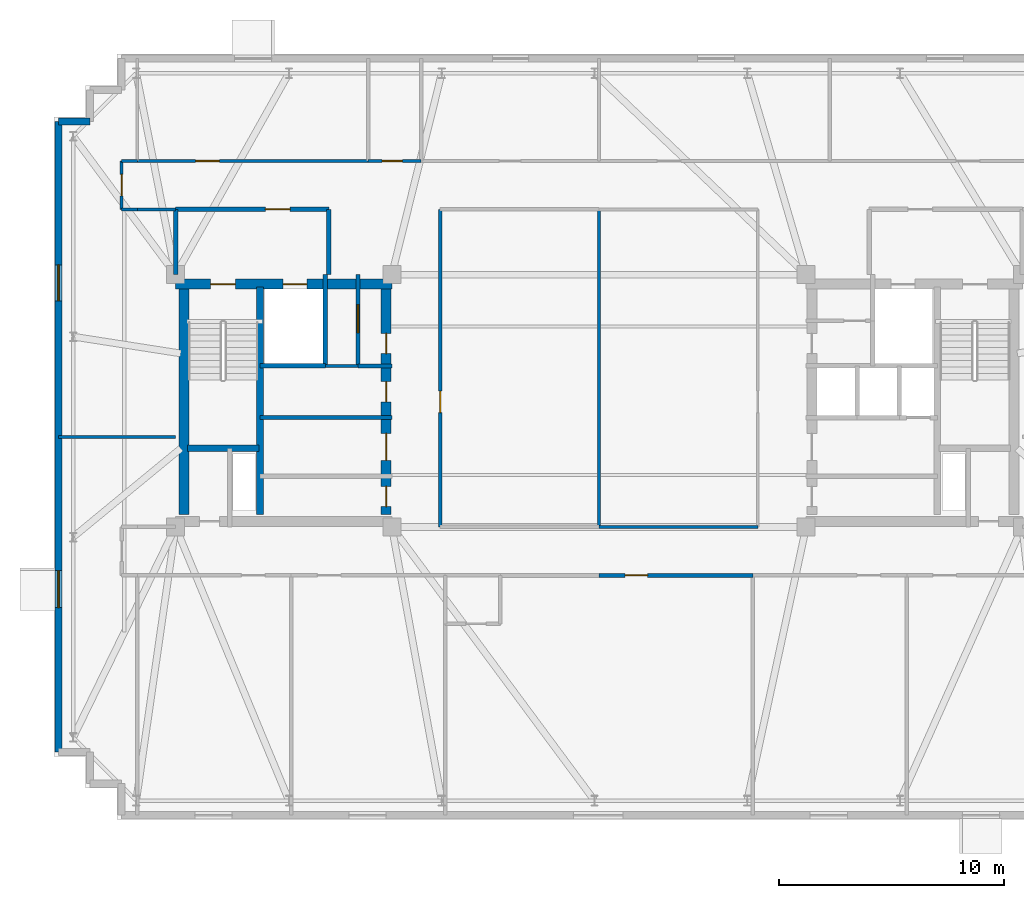
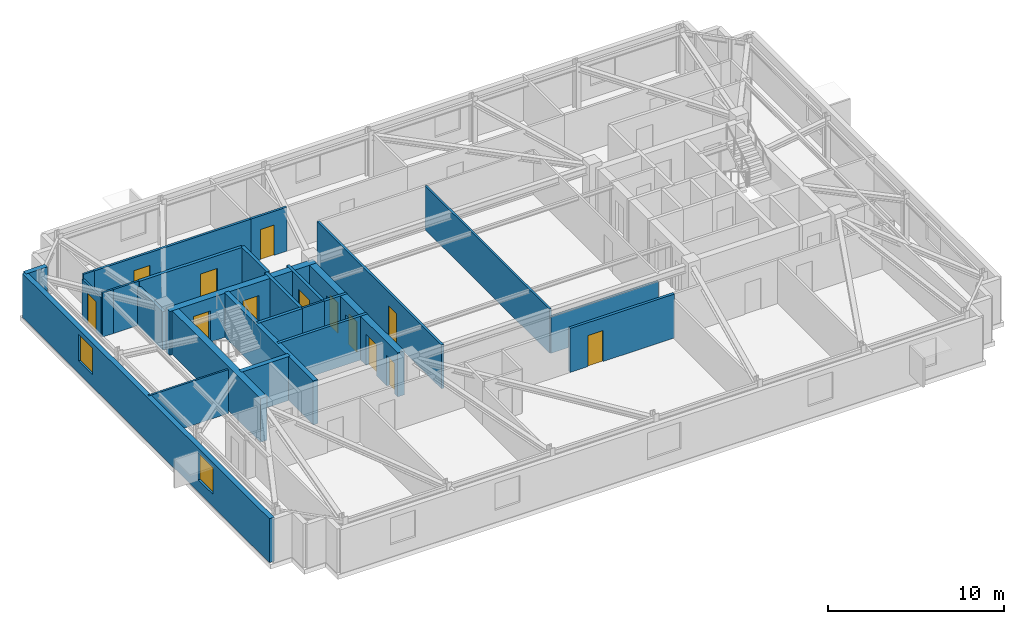
# One storey, part 6 of 10: 27 walls, 13 doors, 2 windows, 15 openings.
"""IFC4 building model written with IfcOpenShell, lengths in metres."""

from ifc_helpers import new_model, si_unit, direction, frame, frame_2d, origin, place, context, subcontext, project, spatial, rectangle, extrude, material, layer, layer_set, type_object, element, fill, save


model = new_model("IFC4")

# Units and contexts
model_context = context("Model", 3, precision=1e-05, world=origin(), true_north=direction((0.0, 1.0)))
body_context = subcontext(model_context, "Body", "Model", "MODEL_VIEW")
ifc_project = project(units=[si_unit("LENGTHUNIT", "METRE"), si_unit("AREAUNIT", "SQUARE_METRE"), si_unit("VOLUMEUNIT", "CUBIC_METRE"), si_unit("PLANEANGLEUNIT", "RADIAN"), si_unit("MASSUNIT", "GRAM", prefix="KILO")], contexts=[model_context])

# Site, building, storey
site_placement = place(None, origin())
site = spatial("IfcSite", under=ifc_project, at=site_placement, CompositionType="ELEMENT")
building_placement = place(site_placement, origin())
building = spatial("IfcBuilding", under=site, at=building_placement, Name="Qobustan Lattice House", CompositionType="ELEMENT")
storey_placement = place(building_placement, frame((0.0, 0.0, 238.35009765625)))
storey = spatial("IfcBuildingStorey", under=building, at=storey_placement, Name="L67", CompositionType="ELEMENT", Elevation=238.35009765625)

# Wall, openings, doors
ifc_material_1 = material(Name="Concrete C50/60", Category="concrete")
ifc_layer_1 = layer(ifc_material_1, 0.43994140625)
ifc_layer_set_1 = layer_set([ifc_layer_1], Name="Concrete C50/60")
wall_type_1 = type_object("IfcWallType", Name="WAL-CORE-440", PredefinedType="SHEAR", material=ifc_layer_set_1)
wall_1_placement = place(storey_placement, frame((-18.800048828125, 5.179931640625, 0.0), z_axis=(0.0, 0.0, 1.0), x_axis=(1.0, 0.0, 0.0)))
wall_1 = element("IfcWall", 1, at=wall_1_placement, inside=storey, type_object=wall_type_1, Name="L67 split-core shear wall CW-N", PredefinedType="SHEAR", context=body_context, shape_type="SweptSolid", body=[
    extrude(rectangle(XDim=9.60009765625, YDim=0.43994140625, at=frame_2d((4.800048828125, 0.0))), origin(), (0.0, 0.0, 1.0), 3.039794921875),
])
opening_1_placement = place(wall_1_placement, frame((1.550048828125, 0.0, 0.0)))
opening_1 = element("IfcOpeningElement", 2, at=opening_1_placement, cuts=wall_1, Name="Opening SD-01", PredefinedType="OPENING", context=body_context, shape_type="SweptSolid", body=[
    extrude(rectangle(XDim=1.10009765625, YDim=2.14990234375, at=frame_2d((0.550048828125, 1.074951171875))), frame((0.0, 0.22998046875, 0.0), z_axis=(0.0, -1.0, 0.0), x_axis=(1.0, 0.0, 0.0)), (0.0, 0.0, 1.0), 0.4599609375),
])
opening_2_placement = place(wall_1_placement, frame((4.77490234375, 0.0, 0.0)))
opening_2 = element("IfcOpeningElement", 3, at=opening_2_placement, cuts=wall_1, Name="Opening LD-01", PredefinedType="OPENING", context=body_context, shape_type="SweptSolid", body=[
    extrude(rectangle(XDim=1.050048828125, YDim=2.10009765625, at=frame_2d((0.52490234375, 1.050048828125))), frame((0.0, 0.22998046875, 0.0), z_axis=(0.0, -1.0, 0.0), x_axis=(1.0, 0.0, 0.0)), (0.0, 0.0, 1.0), 0.4599609375),
])
ifc_material_2 = material(Name="Persian walnut timber and steel frame door", Category="steel")
door_type_1 = type_object("IfcDoorType", Name="DOR-LIFT-LD-1050x2100", OperationType="NOTDEFINED", PredefinedType="DOOR", material=ifc_material_2)
door_1_placement = place(opening_2_placement, origin())
door_1 = element("IfcDoor", 4, at=door_1_placement, inside=storey, type_object=door_type_1, Name="L67 firefighting lift FF-W landing door", OperationType="DOUBLE_DOOR_SLIDING", OverallHeight=2.10009765625, OverallWidth=1.050048828125, PredefinedType="DOOR", context=body_context, shape_type="SweptSolid", body=[
    extrude(rectangle(XDim=1.050048828125, YDim=2.10009765625, at=frame_2d((0.52490234375, 1.050048828125))), frame((0.0, 0.02490234375, 0.0), z_axis=(0.0, -1.0, 0.0), x_axis=(1.0, 0.0, 0.0)), (0.0, 0.0, 1.0), 0.050048828125),
])
fill(opening_2, door_1)
ifc_material_3 = material(Name="Persian walnut timber and steel frame door", Category="steel")
door_type_2 = type_object("IfcDoorType", Name="DOR-STAIR-FD-1100x2150", OperationType="NOTDEFINED", PredefinedType="DOOR", material=ifc_material_3)
door_2_placement = place(opening_1_placement, origin())
door_2 = element("IfcDoor", 5, at=door_2_placement, inside=storey, type_object=door_type_2, Name="L67 exit stair ST-W1 fire door", OperationType="SINGLE_SWING_RIGHT", OverallHeight=2.14990234375, OverallWidth=1.10009765625, PredefinedType="DOOR", context=body_context, shape_type="SweptSolid", body=[
    extrude(rectangle(XDim=1.10009765625, YDim=2.14990234375, at=frame_2d((0.550048828125, 1.074951171875))), frame((0.0, 0.02490234375, 0.0), z_axis=(0.0, -1.0, 0.0), x_axis=(1.0, 0.0, 0.0)), (0.0, 0.0, 1.0), 0.050048828125),
])
fill(opening_1, door_2)

# Wall
wall_2_placement = place(storey_placement, frame((-18.429931640625, -5.050048828125, 0.0), z_axis=(0.0, 0.0, 1.0), x_axis=(0.0, 1.0, 0.0)))
element("IfcWall", 6, at=wall_2_placement, inside=storey, type_object=wall_type_1, Name="L67 split-core shear wall CW-W", PredefinedType="SHEAR", context=body_context, shape_type="SweptSolid", body=[
    extrude(rectangle(XDim=10.10009765625, YDim=0.43994140625, at=frame_2d((5.050048828125, 0.0))), origin(), (0.0, 0.0, 1.0), 3.039794921875),
])

# Wall, openings, doors
wall_3_placement = place(storey_placement, frame((-9.449951171875, -5.050048828125, 0.0), z_axis=(0.0, 0.0, 1.0), x_axis=(0.0, 1.0, 0.0)))
wall_3 = element("IfcWall", 7, at=wall_3_placement, inside=storey, type_object=wall_type_1, Name="L67 split-core shear wall CW-E", PredefinedType="SHEAR", context=body_context, shape_type="SweptSolid", body=[
    extrude(rectangle(XDim=10.10009765625, YDim=0.43994140625, at=frame_2d((5.050048828125, 0.0))), origin(), (0.0, 0.0, 1.0), 3.039794921875),
])
opening_3_placement = place(wall_3_placement, frame((7.14990234375, 0.0, 0.0)))
opening_3 = element("IfcOpeningElement", 8, at=opening_3_placement, cuts=wall_3, Name="Opening RD-01", PredefinedType="OPENING", context=body_context, shape_type="SweptSolid", body=[
    extrude(rectangle(XDim=0.89990234375, YDim=2.10009765625, at=frame_2d((0.449951171875, 1.050048828125))), frame((0.0, 0.22998046875, 0.0), z_axis=(0.0, -1.0, 0.0), x_axis=(1.0, 0.0, 0.0)), (0.0, 0.0, 1.0), 0.4599609375),
])
opening_4_placement = place(wall_3_placement, frame((2.39990234375, 0.0, 0.0)))
opening_4 = element("IfcOpeningElement", 9, at=opening_4_placement, cuts=wall_3, Name="Opening FD-01", PredefinedType="OPENING", context=body_context, shape_type="SweptSolid", body=[
    extrude(rectangle(XDim=1.199951171875, YDim=2.14990234375, at=frame_2d((0.60009765625, 1.074951171875))), frame((0.0, 0.22998046875, 0.0), z_axis=(0.0, -1.0, 0.0), x_axis=(1.0, 0.0, 0.0)), (0.0, 0.0, 1.0), 0.4599609375),
])
opening_5_placement = place(wall_3_placement, frame((0.35009765625, 0.0, 0.0)))
opening_5 = element("IfcOpeningElement", 10, at=opening_5_placement, cuts=wall_3, Name="Opening RD-01", PredefinedType="OPENING", context=body_context, shape_type="SweptSolid", body=[
    extrude(rectangle(XDim=0.89990234375, YDim=2.10009765625, at=frame_2d((0.449951171875, 1.050048828125))), frame((0.0, 0.22998046875, 0.0), z_axis=(0.0, -1.0, 0.0), x_axis=(1.0, 0.0, 0.0)), (0.0, 0.0, 1.0), 0.4599609375),
])
opening_6_placement = place(wall_3_placement, frame((5.0, 0.0, 0.0)))
opening_6 = element("IfcOpeningElement", 11, at=opening_6_placement, cuts=wall_3, Name="Opening RD-01", PredefinedType="OPENING", context=body_context, shape_type="SweptSolid", body=[
    extrude(rectangle(XDim=0.89990234375, YDim=2.10009765625, at=frame_2d((0.449951171875, 1.050048828125))), frame((0.0, 0.22998046875, 0.0), z_axis=(0.0, -1.0, 0.0), x_axis=(1.0, 0.0, 0.0)), (0.0, 0.0, 1.0), 0.4599609375),
])
ifc_material_4 = material(Name="Persian walnut timber and steel frame door", Category="steel")
door_type_3 = type_object("IfcDoorType", Name="DOR-LOBBY-FD-1200x2150", OperationType="NOTDEFINED", PredefinedType="DOOR", material=ifc_material_4)
door_3_placement = place(opening_4_placement, origin())
door_3 = element("IfcDoor", 12, at=door_3_placement, inside=storey, type_object=door_type_3, Name="L67 West core foyer fire door", OperationType="SINGLE_SWING_LEFT", OverallHeight=2.14990234375, OverallWidth=1.199951171875, PredefinedType="DOOR", context=body_context, shape_type="SweptSolid", body=[
    extrude(rectangle(XDim=1.199951171875, YDim=2.14990234375, at=frame_2d((0.60009765625, 1.074951171875))), frame((0.0, 0.02490234375, 0.0), z_axis=(0.0, -1.0, 0.0), x_axis=(1.0, 0.0, 0.0)), (0.0, 0.0, 1.0), 0.050048828125),
])
fill(opening_4, door_3)
ifc_material_5 = material(Name="Persian walnut timber and steel frame door", Category="steel")
door_type_4 = type_object("IfcDoorType", Name="DOR-RISER-FD-900x2100", OperationType="NOTDEFINED", PredefinedType="DOOR", material=ifc_material_5)
door_4_placement = place(opening_3_placement, origin())
door_4 = element("IfcDoor", 13, at=door_4_placement, inside=storey, type_object=door_type_4, Name="L67 Data comms closet fire door", OperationType="SINGLE_SWING_RIGHT", OverallHeight=2.10009765625, OverallWidth=0.89990234375, PredefinedType="DOOR", context=body_context, shape_type="SweptSolid", body=[
    extrude(rectangle(XDim=0.89990234375, YDim=2.10009765625, at=frame_2d((0.449951171875, 1.050048828125))), frame((0.0, 0.02490234375, 0.0), z_axis=(0.0, -1.0, 0.0), x_axis=(1.0, 0.0, 0.0)), (0.0, 0.0, 1.0), 0.050048828125),
])
fill(opening_3, door_4)
door_5_placement = place(opening_5_placement, origin())
door_5 = element("IfcDoor", 14, at=door_5_placement, inside=storey, type_object=door_type_4, Name="L67 Collaborative study lounge fire door", OperationType="SINGLE_SWING_RIGHT", OverallHeight=2.10009765625, OverallWidth=0.89990234375, PredefinedType="DOOR", context=body_context, shape_type="SweptSolid", body=[
    extrude(rectangle(XDim=0.89990234375, YDim=2.10009765625, at=frame_2d((0.449951171875, 1.050048828125))), frame((0.0, 0.02490234375, 0.0), z_axis=(0.0, -1.0, 0.0), x_axis=(1.0, 0.0, 0.0)), (0.0, 0.0, 1.0), 0.050048828125),
])
fill(opening_5, door_5)
door_6_placement = place(opening_6_placement, origin())
door_6 = element("IfcDoor", 15, at=door_6_placement, inside=storey, type_object=door_type_4, Name="L67 Focus booth pod fire door", OperationType="SINGLE_SWING_LEFT", OverallHeight=2.10009765625, OverallWidth=0.89990234375, PredefinedType="DOOR", context=body_context, shape_type="SweptSolid", body=[
    extrude(rectangle(XDim=0.89990234375, YDim=2.10009765625, at=frame_2d((0.449951171875, 1.050048828125))), frame((0.0, 0.02490234375, 0.0), z_axis=(0.0, -1.0, 0.0), x_axis=(1.0, 0.0, 0.0)), (0.0, 0.0, 1.0), 0.050048828125),
])
fill(opening_6, door_6)

# Walls
ifc_material_6 = material(Name="Concrete C50/60", Category="concrete")
ifc_layer_2 = layer(ifc_material_6, 0.280029296875)
ifc_layer_set_2 = layer_set([ifc_layer_2], Name="Concrete C50/60")
wall_type_2 = type_object("IfcWallType", Name="WAL-CORE-SPINE-280", PredefinedType="SHEAR", material=ifc_layer_set_2)
wall_4_placement = place(storey_placement, frame((-15.050048828125, -5.050048828125, 0.0), z_axis=(0.0, 0.0, 1.0), x_axis=(0.0, 1.0, 0.0)))
element("IfcWall", 16, at=wall_4_placement, inside=storey, type_object=wall_type_2, Name="L67 split-core shear wall CW-M", PredefinedType="SHEAR", context=body_context, shape_type="SweptSolid", body=[
    extrude(rectangle(XDim=10.10009765625, YDim=0.300048828125, at=frame_2d((5.050048828125, 0.0))), origin(), (0.0, 0.0, 1.0), 3.039794921875),
])
wall_5_placement = place(storey_placement, frame((-18.280029296875, -2.110107421875, 0.0), z_axis=(0.0, 0.0, 1.0), x_axis=(1.0, 0.0, 0.0)))
element("IfcWall", 17, at=wall_5_placement, inside=storey, type_object=wall_type_2, Name="L67 split-core shear wall CW-ST", PredefinedType="SHEAR", context=body_context, shape_type="SweptSolid", body=[
    extrude(rectangle(XDim=3.179931640625, YDim=0.300048828125, at=frame_2d((1.58984375, 0.0))), origin(), (0.0, 0.0, 1.0), 3.039794921875),
])

# Wall, openings, windows
ifc_material_7 = material(Name="Precast concrete C40/50", Category="concrete")
ifc_layer_3 = layer(ifc_material_7, 0.320068359375)
ifc_layer_set_3 = layer_set([ifc_layer_3], Name="Precast concrete C40/50")
wall_type_3 = type_object("IfcWallType", Name="WAL-EXT-STONE-320", PredefinedType="SOLIDWALL", material=ifc_layer_set_3)
wall_6_placement = place(storey_placement, frame((-24.0, -15.60009765625, 0.0), z_axis=(0.0, 0.0, 1.0), x_axis=(0.0, 1.0, 0.0)))
wall_6 = element("IfcWall", 18, at=wall_6_placement, inside=storey, type_object=wall_type_3, Name="L67 exterior limestone-clad wall 5", PredefinedType="SOLIDWALL", context=body_context, shape_type="SweptSolid", body=[
    extrude(rectangle(XDim=28.0, YDim=0.320068359375, at=frame_2d((14.0, 0.0))), origin(), (0.0, 0.0, 1.0), 3.039794921875),
])
opening_7_placement = place(wall_6_placement, frame((6.4150390625, 0.0, 0.85009765625)))
opening_7 = element("IfcOpeningElement", 19, at=opening_7_placement, cuts=wall_6, Name="Opening WN-09", PredefinedType="OPENING", context=body_context, shape_type="SweptSolid", body=[
    extrude(rectangle(XDim=1.64990234375, YDim=1.85009765625, at=frame_2d((0.824951171875, 0.925048828125))), frame((0.0, 0.169921875, 0.0), z_axis=(0.0, -1.0, 0.0), x_axis=(1.0, 0.0, 0.0)), (0.0, 0.0, 1.0), 0.340087890625),
])
opening_8_placement = place(wall_6_placement, frame((20.0400390625, 0.0, 0.85009765625)))
opening_8 = element("IfcOpeningElement", 20, at=opening_8_placement, cuts=wall_6, Name="Opening WN-13", PredefinedType="OPENING", context=body_context, shape_type="SweptSolid", body=[
    extrude(rectangle(XDim=1.60009765625, YDim=1.85009765625, at=frame_2d((0.800048828125, 0.925048828125))), frame((0.0, 0.169921875, 0.0), z_axis=(0.0, -1.0, 0.0), x_axis=(1.0, 0.0, 0.0)), (0.0, 0.0, 1.0), 0.340087890625),
])
ifc_material_8 = material(Name="Double-glazed low-E aluminium window", Category="aluminium")
window_type_1 = type_object("IfcWindowType", Name="WIN-BED-1600x1850", PartitioningType="SINGLE_PANEL", PredefinedType="WINDOW", material=ifc_material_8)
window_1_placement = place(opening_8_placement, origin())
window_1 = element("IfcWindow", 21, at=window_1_placement, inside=storey, type_object=window_type_1, Name="L67 Music and podcast studio window", OverallHeight=1.85009765625, OverallWidth=1.60009765625, PartitioningType="SINGLE_PANEL", PredefinedType="WINDOW", context=body_context, shape_type="SweptSolid", body=[
    extrude(rectangle(XDim=1.60009765625, YDim=1.85009765625, at=frame_2d((0.800048828125, 0.925048828125))), frame((0.0, 0.030029296875, 0.0), z_axis=(0.0, -1.0, 0.0), x_axis=(1.0, 0.0, 0.0)), (0.0, 0.0, 1.0), 0.06005859375),
])
fill(opening_8, window_1)
ifc_material_9 = material(Name="Double-glazed low-E aluminium window", Category="aluminium")
window_type_2 = type_object("IfcWindowType", Name="WIN-STU-1650x1850", PartitioningType="SINGLE_PANEL", PredefinedType="WINDOW", material=ifc_material_9)
window_2_placement = place(opening_7_placement, origin())
window_2 = element("IfcWindow", 22, at=window_2_placement, inside=storey, type_object=window_type_2, Name="L67 Academic seminar room window", OverallHeight=1.85009765625, OverallWidth=1.64990234375, PartitioningType="SINGLE_PANEL", PredefinedType="WINDOW", context=body_context, shape_type="SweptSolid", body=[
    extrude(rectangle(XDim=1.64990234375, YDim=1.85009765625, at=frame_2d((0.824951171875, 0.925048828125))), frame((0.0, 0.030029296875, 0.0), z_axis=(0.0, -1.0, 0.0), x_axis=(1.0, 0.0, 0.0)), (0.0, 0.0, 1.0), 0.06005859375),
])
fill(opening_7, window_2)

# Wall
wall_7_placement = place(storey_placement, frame((-24.0, 12.39990234375, 0.0), z_axis=(0.0, 0.0, 1.0), x_axis=(1.0, 0.0, 0.0)))
element("IfcWall", 23, at=wall_7_placement, inside=storey, type_object=wall_type_3, Name="L67 exterior limestone-clad wall 6", PredefinedType="SOLIDWALL", context=body_context, shape_type="SweptSolid", body=[
    extrude(rectangle(XDim=1.39990234375, YDim=0.320068359375, at=frame_2d((0.699951171875, 0.0))), origin(), (0.0, 0.0, 1.0), 3.039794921875),
])

# Wall, opening, door
ifc_material_10 = material(Name="Gypsum fireboard acoustic partition", Category="gypsum")
ifc_layer_4 = layer(ifc_material_10, 0.179931640625)
ifc_layer_set_4 = layer_set([ifc_layer_4], Name="Gypsum fireboard acoustic partition")
wall_type_4 = type_object("IfcWallType", Name="WAL-FIRE-180", PredefinedType="PARTITIONING", material=ifc_layer_set_4)
wall_8_placement = place(storey_placement, frame((-10.699951171875, 5.60009765625, 0.0), z_axis=(0.0, 0.0, 1.0), x_axis=(0.0, -1.0, 0.0)))
wall_8 = element("IfcWall", 24, at=wall_8_placement, inside=storey, type_object=wall_type_4, Name="L67 interior partition 6", PredefinedType="PARTITIONING", context=body_context, shape_type="SweptSolid", body=[
    extrude(rectangle(XDim=4.050048828125, YDim=0.179931640625, at=frame_2d((2.02490234375, 0.0))), origin(), (0.0, 0.0, 1.0), 3.039794921875),
])
opening_9_placement = place(wall_8_placement, frame((1.324951171875, 0.0, 0.0)))
opening_9 = element("IfcOpeningElement", 25, at=opening_9_placement, cuts=wall_8, Name="Opening FD-03", PredefinedType="OPENING", context=body_context, shape_type="SweptSolid", body=[
    extrude(rectangle(XDim=1.25, YDim=2.199951171875, at=frame_2d((0.625, 1.10009765625))), frame((0.0, 0.099853515625, 0.0), z_axis=(0.0, -1.0, 0.0), x_axis=(1.0, 0.0, 0.0)), (0.0, 0.0, 1.0), 0.199951171875),
])
ifc_material_11 = material(Name="Persian walnut timber and steel frame door", Category="steel")
door_type_5 = type_object("IfcDoorType", Name="DOR-PLANT-1250x2200", OperationType="NOTDEFINED", PredefinedType="DOOR", material=ifc_material_11)
door_7_placement = place(opening_9_placement, origin())
door_7 = element("IfcDoor", 26, at=door_7_placement, inside=storey, type_object=door_type_5, Name="L67 Data comms closet to Linen store door", OperationType="SINGLE_SWING_LEFT", OverallHeight=2.199951171875, OverallWidth=1.25, PredefinedType="DOOR", context=body_context, shape_type="SweptSolid", body=[
    extrude(rectangle(XDim=1.25, YDim=2.199951171875, at=frame_2d((0.625, 1.10009765625))), frame((0.0, 0.02490234375, 0.0), z_axis=(0.0, -1.0, 0.0), x_axis=(1.0, 0.0, 0.0)), (0.0, 0.0, 1.0), 0.050048828125),
])
fill(opening_9, door_7)

# Walls
wall_9_placement = place(storey_placement, frame((-10.699951171875, 1.550048828125, 0.0), z_axis=(0.0, 0.0, 1.0), x_axis=(1.0, 0.0, 0.0)))
element("IfcWall", 27, at=wall_9_placement, inside=storey, type_object=wall_type_4, Name="L67 interior partition 7", PredefinedType="PARTITIONING", context=body_context, shape_type="SweptSolid", body=[
    extrude(rectangle(XDim=1.5, YDim=0.179931640625, at=frame_2d((0.75, 0.0))), origin(), (0.0, 0.0, 1.0), 3.039794921875),
])
wall_10_placement = place(storey_placement, frame((-9.199951171875, -0.75, 0.0), z_axis=(0.0, 0.0, 1.0), x_axis=(-1.0, 0.0, 0.0)))
element("IfcWall", 28, at=wall_10_placement, inside=storey, type_object=wall_type_4, Name="L67 interior partition 11", PredefinedType="PARTITIONING", context=body_context, shape_type="SweptSolid", body=[
    extrude(rectangle(XDim=5.85009765625, YDim=0.179931640625, at=frame_2d((2.925048828125, 0.0))), origin(), (0.0, 0.0, 1.0), 3.039794921875),
])

# Wall, opening, door
wall_11_placement = place(storey_placement, frame((6.8330078125, -7.75, 0.0), z_axis=(0.0, 0.0, 1.0), x_axis=(-1.0, 0.0, 0.0)))
wall_11 = element("IfcWall", 29, at=wall_11_placement, inside=storey, type_object=wall_type_4, Name="L67 interior partition 59", PredefinedType="PARTITIONING", context=body_context, shape_type="SweptSolid", body=[
    extrude(rectangle(XDim=6.8330078125, YDim=0.179931640625, at=frame_2d((3.41650390625, 0.0))), origin(), (0.0, 0.0, 1.0), 3.039794921875),
])
opening_10_placement = place(wall_11_placement, frame((4.6689453125, 0.0, 0.0)))
opening_10 = element("IfcOpeningElement", 30, at=opening_10_placement, cuts=wall_11, Name="Opening FD-02", PredefinedType="OPENING", context=body_context, shape_type="SweptSolid", body=[
    extrude(rectangle(XDim=1.0, YDim=2.14990234375, at=frame_2d((0.5, 1.074951171875))), frame((0.0, 0.099853515625, 0.0), z_axis=(0.0, -1.0, 0.0), x_axis=(1.0, 0.0, 0.0)), (0.0, 0.0, 1.0), 0.199951171875),
])
ifc_material_12 = material(Name="Persian walnut timber and steel frame door", Category="steel")
door_type_6 = type_object("IfcDoorType", Name="DOR-UNIT-FD-1000x2150", OperationType="NOTDEFINED", PredefinedType="DOOR", material=ifc_material_12)
door_8_placement = place(opening_10_placement, origin())
door_8 = element("IfcDoor", 31, at=door_8_placement, inside=storey, type_object=door_type_6, Name="L67 South-east floor corridor to Kitchenette and studio apartment L67-S2 door", OperationType="SINGLE_SWING_RIGHT", OverallHeight=2.14990234375, OverallWidth=1.0, PredefinedType="DOOR", context=body_context, shape_type="SweptSolid", body=[
    extrude(rectangle(XDim=1.0, YDim=2.14990234375, at=frame_2d((0.5, 1.074951171875))), frame((0.0, 0.02490234375, 0.0), z_axis=(0.0, -1.0, 0.0), x_axis=(1.0, 0.0, 0.0)), (0.0, 0.0, 1.0), 0.050048828125),
])
fill(opening_10, door_8)

# Wall
ifc_material_13 = material(Name="Lightweight acoustic stud partition", Category="gypsum")
ifc_layer_5 = layer(ifc_material_13, 0.125)
ifc_layer_set_5 = layer_set([ifc_layer_5], Name="Lightweight acoustic stud partition")
wall_type_5 = type_object("IfcWallType", Name="WAL-PART-125", PredefinedType="PARTITIONING", material=ifc_layer_set_5)
wall_12_placement = place(storey_placement, frame((-12.14990234375, 1.550048828125, 0.0), z_axis=(0.0, 0.0, 1.0), x_axis=(1.0, 0.0, 0.0)))
element("IfcWall", 32, at=wall_12_placement, inside=storey, type_object=wall_type_5, Name="L67 interior partition 9", PredefinedType="PARTITIONING", context=body_context, shape_type="SweptSolid", body=[
    extrude(rectangle(XDim=1.449951171875, YDim=0.125, at=frame_2d((0.72509765625, 0.0))), origin(), (0.0, 0.0, 1.0), 3.039794921875),
])

# Wall, opening, door
wall_13_placement = place(storey_placement, frame((-21.199951171875, 8.5, 0.0), z_axis=(0.0, 0.0, 1.0), x_axis=(0.0, 1.0, 0.0)))
wall_13 = element("IfcWall", 33, at=wall_13_placement, inside=storey, type_object=wall_type_5, Name="L67 interior partition 31", PredefinedType="PARTITIONING", context=body_context, shape_type="SweptSolid", body=[
    extrude(rectangle(XDim=2.14990234375, YDim=0.125, at=frame_2d((1.074951171875, 0.0))), origin(), (0.0, 0.0, 1.0), 2.69482421875),
])
opening_11_placement = place(wall_13_placement, frame((0.60009765625, 0.0, 0.0)))
opening_11 = element("IfcOpeningElement", 34, at=opening_11_placement, cuts=wall_13, Name="Opening ID-01", PredefinedType="OPENING", context=body_context, shape_type="SweptSolid", body=[
    extrude(rectangle(XDim=0.949951171875, YDim=2.10009765625, at=frame_2d((0.47509765625, 1.050048828125))), frame((0.0, 0.072509765625, 0.0), z_axis=(0.0, -1.0, 0.0), x_axis=(1.0, 0.0, 0.0)), (0.0, 0.0, 1.0), 0.14501953125),
])
ifc_material_14 = material(Name="Persian walnut timber and steel frame door", Category="steel")
door_type_7 = type_object("IfcDoorType", Name="DOR-ROOM-950x2100", OperationType="NOTDEFINED", PredefinedType="DOOR", material=ifc_material_14)
door_9_placement = place(opening_11_placement, origin())
door_9 = element("IfcDoor", 35, at=door_9_placement, inside=storey, type_object=door_type_7, Name="L67 North-west floor corridor to Music and podcast studio door", OperationType="SINGLE_SWING_LEFT", OverallHeight=2.10009765625, OverallWidth=0.949951171875, PredefinedType="DOOR", context=body_context, shape_type="SweptSolid", body=[
    extrude(rectangle(XDim=0.949951171875, YDim=2.10009765625, at=frame_2d((0.47509765625, 1.050048828125))), frame((0.0, 0.02490234375, 0.0), z_axis=(0.0, -1.0, 0.0), x_axis=(1.0, 0.0, 0.0)), (0.0, 0.0, 1.0), 0.050048828125),
])
fill(opening_11, door_9)

# Walls
wall_14_placement = place(storey_placement, frame((-18.800048828125, 8.5, 0.0), z_axis=(0.0, 0.0, 1.0), x_axis=(-1.0, 0.0, 0.0)))
element("IfcWall", 36, at=wall_14_placement, inside=storey, type_object=wall_type_5, Name="L67 interior partition 32", PredefinedType="PARTITIONING", context=body_context, shape_type="SweptSolid", body=[
    extrude(rectangle(XDim=1.699951171875, YDim=0.125, at=frame_2d((0.85009765625, 0.0))), origin(), (0.0, 0.0, 1.0), 3.039794921875),
])
for number, where, z_axis, x_axis, name in (
    (37, (-20.5, 8.5, 0.0), (0.0, 0.0, 1.0), (-1.0, 0.0, 0.0), "L67 interior partition 33"),
    (38, (-21.199951171875, 10.64990234375, 0.0), (0.0, 0.0, 1.0), (1.0, 0.0, 0.0), "L67 interior partition 34"),
):
    element("IfcWall", number, at=place(storey_placement, frame(where, z_axis=z_axis, x_axis=x_axis)), inside=storey, type_object=wall_type_5, Name=name, PredefinedType="PARTITIONING", context=body_context, shape_type="SweptSolid", body=[
        extrude(rectangle(XDim=0.699951171875, YDim=0.125, at=frame_2d((0.35009765625, 0.0))), origin(), (0.0, 0.0, 1.0), 3.039794921875),
    ])
wall_15_placement = place(storey_placement, frame((0.0, -5.60009765625, 0.0), z_axis=(0.0, 0.0, 1.0), x_axis=(1.0, 0.0, 0.0)))
element("IfcWall", 39, at=wall_15_placement, inside=storey, type_object=wall_type_5, Name="L67 interior partition 62", PredefinedType="PARTITIONING", context=body_context, shape_type="SweptSolid", body=[
    extrude(rectangle(XDim=7.050048828125, YDim=0.125, at=frame_2d((3.52490234375, 0.0))), origin(), (0.0, 0.0, 1.0), 2.52490234375),
])
wall_16_placement = place(storey_placement, frame((-24.0, -1.60009765625, 0.0), z_axis=(0.0, 0.0, 1.0), x_axis=(1.0, 0.0, 0.0)))
element("IfcWall", 40, at=wall_16_placement, inside=storey, type_object=wall_type_5, Name="L67 interior partition 65", PredefinedType="PARTITIONING", context=body_context, shape_type="SweptSolid", body=[
    extrude(rectangle(XDim=5.199951171875, YDim=0.125, at=frame_2d((2.60009765625, 0.0))), origin(), (0.0, 0.0, 1.0), 3.039794921875),
])
wall_17_placement = place(storey_placement, frame((0.0, 8.5, 0.0), z_axis=(0.0, 0.0, 1.0), x_axis=(0.0, -1.0, 0.0)))
element("IfcWall", 41, at=wall_17_placement, inside=storey, type_object=wall_type_5, Name="L67 interior partition 82", PredefinedType="PARTITIONING", context=body_context, shape_type="SweptSolid", body=[
    extrude(rectangle(XDim=14.10009765625, YDim=0.125, at=frame_2d((7.050048828125, 0.0))), origin(), (0.0, 0.0, 1.0), 3.039794921875),
])

# Wall, opening, door
ifc_material_15 = material(Name="Acoustic twin-stud gypsum partition", Category="gypsum")
ifc_layer_6 = layer(ifc_material_15, 0.14990234375)
ifc_layer_set_6 = layer_set([ifc_layer_6], Name="Acoustic twin-stud gypsum partition")
wall_type_6 = type_object("IfcWallType", Name="WAL-PART-150", PredefinedType="PARTITIONING", material=ifc_layer_set_6)
wall_18_placement = place(storey_placement, frame((-20.5, 10.64990234375, 0.0), z_axis=(0.0, 0.0, 1.0), x_axis=(1.0, 0.0, 0.0)))
wall_18 = element("IfcWall", 42, at=wall_18_placement, inside=storey, type_object=wall_type_6, Name="L67 interior partition 35", PredefinedType="PARTITIONING", context=body_context, shape_type="SweptSolid", body=[
    extrude(rectangle(XDim=10.25, YDim=0.14990234375, at=frame_2d((5.125, 0.0))), origin(), (0.0, 0.0, 1.0), 3.039794921875),
])
opening_12_placement = place(wall_18_placement, frame((2.590087890625, 0.0, 0.0)))
opening_12 = element("IfcOpeningElement", 43, at=opening_12_placement, cuts=wall_18, Name="Opening ID-02", PredefinedType="OPENING", context=body_context, shape_type="SweptSolid", body=[
    extrude(rectangle(XDim=1.050048828125, YDim=2.14990234375, at=frame_2d((0.52490234375, 1.074951171875))), frame((0.0, 0.0849609375, 0.0), z_axis=(0.0, -1.0, 0.0), x_axis=(1.0, 0.0, 0.0)), (0.0, 0.0, 1.0), 0.169921875),
])
ifc_material_16 = material(Name="Persian walnut timber and steel frame door", Category="steel")
door_type_8 = type_object("IfcDoorType", Name="DOR-STUDY-1050x2150", OperationType="NOTDEFINED", PredefinedType="DOOR", material=ifc_material_16)
door_10_placement = place(opening_12_placement, origin())
door_10 = element("IfcDoor", 44, at=door_10_placement, inside=storey, type_object=door_type_8, Name="L67 North-west floor corridor to Focus study room N1 door", OperationType="SINGLE_SWING_RIGHT", OverallHeight=2.14990234375, OverallWidth=1.050048828125, PredefinedType="DOOR", context=body_context, shape_type="SweptSolid", body=[
    extrude(rectangle(XDim=1.050048828125, YDim=2.14990234375, at=frame_2d((0.52490234375, 1.074951171875))), frame((0.0, 0.02490234375, 0.0), z_axis=(0.0, -1.0, 0.0), x_axis=(1.0, 0.0, 0.0)), (0.0, 0.0, 1.0), 0.050048828125),
])
fill(opening_12, door_10)

wall_19_placement = place(storey_placement, frame((-7.050048828125, 8.5, 0.0), z_axis=(0.0, 0.0, 1.0), x_axis=(0.0, -1.0, 0.0)))
wall_19 = element("IfcWall", 45, at=wall_19_placement, inside=storey, type_object=wall_type_6, Name="L67 interior partition 63", PredefinedType="PARTITIONING", context=body_context, shape_type="SweptSolid", body=[
    extrude(rectangle(XDim=14.10009765625, YDim=0.14990234375, at=frame_2d((7.050048828125, 0.0))), origin(), (0.0, 0.0, 1.0), 3.039794921875),
])
opening_13_placement = place(wall_19_placement, frame((8.07373046875, 0.0, 0.0)))
opening_13 = element("IfcOpeningElement", 46, at=opening_13_placement, cuts=wall_19, Name="Opening ID-01", PredefinedType="OPENING", context=body_context, shape_type="SweptSolid", body=[
    extrude(rectangle(XDim=0.949951171875, YDim=2.10009765625, at=frame_2d((0.47509765625, 1.050048828125))), frame((0.0, 0.0849609375, 0.0), z_axis=(0.0, -1.0, 0.0), x_axis=(1.0, 0.0, 0.0)), (0.0, 0.0, 1.0), 0.169921875),
])
door_11_placement = place(opening_13_placement, origin())
door_11 = element("IfcDoor", 47, at=door_11_placement, inside=storey, type_object=door_type_7, Name="L67 West floor link corridor to Design studio workspace door", OperationType="SINGLE_SWING_LEFT", OverallHeight=2.10009765625, OverallWidth=0.949951171875, PredefinedType="DOOR", context=body_context, shape_type="SweptSolid", body=[
    extrude(rectangle(XDim=0.949951171875, YDim=2.10009765625, at=frame_2d((0.47509765625, 1.050048828125))), frame((0.0, 0.02490234375, 0.0), z_axis=(0.0, -1.0, 0.0), x_axis=(1.0, 0.0, 0.0)), (0.0, 0.0, 1.0), 0.050048828125),
])
fill(opening_13, door_11)

ifc_material_17 = material(Name="Two-hour gypsum fireboard acoustic partition", Category="gypsum")
ifc_layer_7 = layer(ifc_material_17, 0.199951171875)
ifc_layer_set_7 = layer_set([ifc_layer_7], Name="Two-hour gypsum fireboard acoustic partition")
wall_type_7 = type_object("IfcWallType", Name="WAL-PROT-200", PredefinedType="PARTITIONING", material=ifc_layer_set_7)
wall_20_placement = place(storey_placement, frame((-12.0, 8.5, 0.0), z_axis=(0.0, 0.0, 1.0), x_axis=(-1.0, 0.0, 0.0)))
wall_20 = element("IfcWall", 48, at=wall_20_placement, inside=storey, type_object=wall_type_7, Name="L67 interior partition 3", PredefinedType="PARTITIONING", context=body_context, shape_type="SweptSolid", body=[
    extrude(rectangle(XDim=6.800048828125, YDim=0.199951171875, at=frame_2d((3.39990234375, 0.0))), origin(), (0.0, 0.0, 1.0), 3.039794921875),
])
opening_14_placement = place(wall_20_placement, frame((1.715087890625, 0.0, 0.0)))
opening_14 = element("IfcOpeningElement", 49, at=opening_14_placement, cuts=wall_20, Name="Opening SD-01", PredefinedType="OPENING", context=body_context, shape_type="SweptSolid", body=[
    extrude(rectangle(XDim=1.10009765625, YDim=2.14990234375, at=frame_2d((0.550048828125, 1.074951171875))), frame((0.0, 0.10986328125, 0.0), z_axis=(0.0, -1.0, 0.0), x_axis=(1.0, 0.0, 0.0)), (0.0, 0.0, 1.0), 0.219970703125),
])
door_12_placement = place(opening_14_placement, origin())
door_12 = element("IfcDoor", 50, at=door_12_placement, inside=storey, type_object=door_type_2, Name="L67 West firefighting lift lobby to North-west floor corridor door", OperationType="SINGLE_SWING_RIGHT", OverallHeight=2.14990234375, OverallWidth=1.10009765625, PredefinedType="DOOR", context=body_context, shape_type="SweptSolid", body=[
    extrude(rectangle(XDim=1.10009765625, YDim=2.14990234375, at=frame_2d((0.550048828125, 1.074951171875))), frame((0.0, 0.02490234375, 0.0), z_axis=(0.0, -1.0, 0.0), x_axis=(1.0, 0.0, 0.0)), (0.0, 0.0, 1.0), 0.050048828125),
])
fill(opening_14, door_12)

# Walls
wall_21_placement = place(storey_placement, frame((-12.0, 5.60009765625, 0.0), z_axis=(0.0, 0.0, 1.0), x_axis=(0.0, 1.0, 0.0)))
element("IfcWall", 51, at=wall_21_placement, inside=storey, type_object=wall_type_7, Name="L67 interior partition 4", PredefinedType="PARTITIONING", context=body_context, shape_type="SweptSolid", body=[
    extrude(rectangle(XDim=2.89990234375, YDim=0.199951171875, at=frame_2d((1.449951171875, 0.0))), origin(), (0.0, 0.0, 1.0), 3.039794921875),
])
wall_22_placement = place(storey_placement, frame((-18.800048828125, 8.5, 0.0), z_axis=(0.0, 0.0, 1.0), x_axis=(0.0, -1.0, 0.0)))
element("IfcWall", 52, at=wall_22_placement, inside=storey, type_object=wall_type_7, Name="L67 interior partition 5", PredefinedType="PARTITIONING", context=body_context, shape_type="SweptSolid", body=[
    extrude(rectangle(XDim=2.89990234375, YDim=0.199951171875, at=frame_2d((1.449951171875, 0.0))), origin(), (0.0, 0.0, 1.0), 2.664794921875),
])
ifc_material_18 = material(Name="Concrete C40/50", Category="concrete")
ifc_layer_8 = layer(ifc_material_18, 0.199951171875)
ifc_layer_set_8 = layer_set([ifc_layer_8], Name="Concrete C40/50")
wall_type_8 = type_object("IfcWallType", Name="WAL-SHAFT-200", PredefinedType="PARTITIONING", material=ifc_layer_set_8)
wall_23_placement = place(storey_placement, frame((-12.14990234375, 1.550048828125, 0.0), z_axis=(0.0, 0.0, 1.0), x_axis=(0.0, 1.0, 0.0)))
element("IfcWall", 53, at=wall_23_placement, inside=storey, type_object=wall_type_8, Name="L67 interior partition 2", PredefinedType="PARTITIONING", context=body_context, shape_type="SweptSolid", body=[
    extrude(rectangle(XDim=4.050048828125, YDim=0.199951171875, at=frame_2d((2.02490234375, 0.0))), origin(), (0.0, 0.0, 1.0), 3.039794921875),
])
wall_24_placement = place(storey_placement, frame((-15.050048828125, 1.550048828125, 0.0), z_axis=(0.0, 0.0, 1.0), x_axis=(1.0, 0.0, 0.0)))
element("IfcWall", 54, at=wall_24_placement, inside=storey, type_object=wall_type_8, Name="L67 interior partition 83", PredefinedType="PARTITIONING", context=body_context, shape_type="SweptSolid", body=[
    extrude(rectangle(XDim=2.900146484375, YDim=0.199951171875, at=frame_2d((1.4501953125, 0.0))), origin(), (0.0, 0.0, 1.0), 3.039794921875),
])

# Wall, opening, door
ifc_material_19 = material(Name="Moisture-resistant acoustic plumbing wall", Category="gypsum")
ifc_layer_9 = layer(ifc_material_19, 0.14990234375)
ifc_layer_set_9 = layer_set([ifc_layer_9], Name="Moisture-resistant acoustic plumbing wall")
wall_type_9 = type_object("IfcWallType", Name="WAL-WET-150", PredefinedType="PLUMBINGWALL", material=ifc_layer_set_9)
wall_25_placement = place(storey_placement, frame((-10.25, 10.64990234375, 0.0), z_axis=(0.0, 0.0, 1.0), x_axis=(1.0, 0.0, 0.0)))
wall_25 = element("IfcWall", 55, at=wall_25_placement, inside=storey, type_object=wall_type_9, Name="L67 interior partition 36", PredefinedType="PLUMBINGWALL", context=body_context, shape_type="SweptSolid", body=[
    extrude(rectangle(XDim=2.35009765625, YDim=0.14990234375, at=frame_2d((1.175048828125, 0.0))), origin(), (0.0, 0.0, 1.0), 3.039794921875),
])
opening_15_placement = place(wall_25_placement, frame((0.6162109375, 0.0, 0.0)))
opening_15 = element("IfcOpeningElement", 56, at=opening_15_placement, cuts=wall_25, Name="Opening WD-01", PredefinedType="OPENING", context=body_context, shape_type="SweptSolid", body=[
    extrude(rectangle(XDim=0.89990234375, YDim=2.10009765625, at=frame_2d((0.449951171875, 1.050048828125))), frame((0.0, 0.0849609375, 0.0), z_axis=(0.0, -1.0, 0.0), x_axis=(1.0, 0.0, 0.0)), (0.0, 0.0, 1.0), 0.169921875),
])
ifc_material_20 = material(Name="Persian walnut timber and steel frame door", Category="steel")
door_type_9 = type_object("IfcDoorType", Name="DOR-WET-900x2100", OperationType="NOTDEFINED", PredefinedType="DOOR", material=ifc_material_20)
door_13_placement = place(opening_15_placement, origin())
door_13 = element("IfcDoor", 57, at=door_13_placement, inside=storey, type_object=door_type_9, Name="L67 North-west floor corridor to Accessible WC door", OperationType="SINGLE_SWING_LEFT", OverallHeight=2.10009765625, OverallWidth=0.89990234375, PredefinedType="DOOR", context=body_context, shape_type="SweptSolid", body=[
    extrude(rectangle(XDim=0.89990234375, YDim=2.10009765625, at=frame_2d((0.449951171875, 1.050048828125))), frame((0.0, 0.02490234375, 0.0), z_axis=(0.0, -1.0, 0.0), x_axis=(1.0, 0.0, 0.0)), (0.0, 0.0, 1.0), 0.050048828125),
])
fill(opening_15, door_13)

save(model, "model.ifc")
